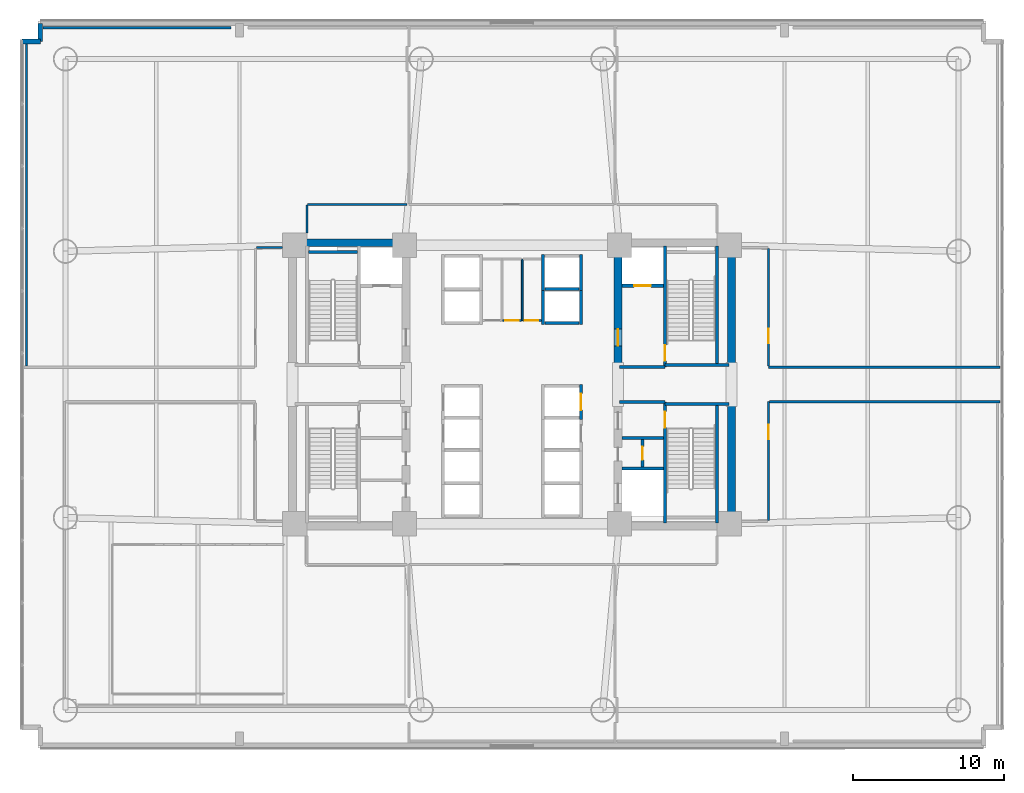
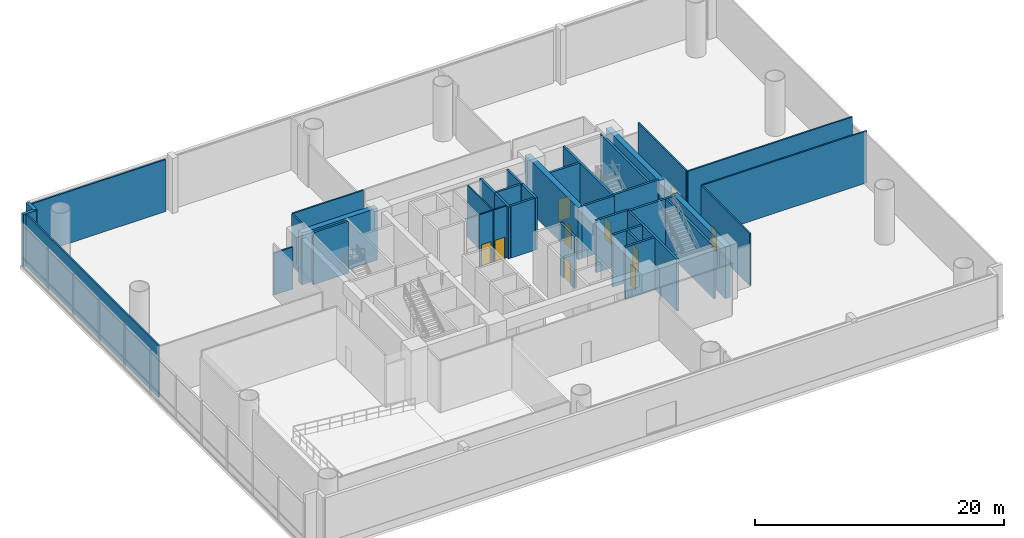
# One storey, part 9 of 15: 38 walls, 10 doors, 10 openings.
"""IFC4 building model written with IfcOpenShell, lengths in metres."""

from ifc_helpers import new_model, si_unit, direction, frame, frame_2d, origin, place, context, subcontext, project, spatial, rectangle, extrude, source, transform, mapped, material, layer, layer_set, type_object, element, fill, save


model = new_model("IFC4")

# Units and contexts
model_context = context("Model", 3, precision=1e-05, world=origin(), true_north=direction((0.0, 1.0)))
body_context = subcontext(model_context, "Body", "Model", "MODEL_VIEW")
ifc_project = project(units=[si_unit("LENGTHUNIT", "METRE"), si_unit("AREAUNIT", "SQUARE_METRE"), si_unit("VOLUMEUNIT", "CUBIC_METRE"), si_unit("PLANEANGLEUNIT", "RADIAN"), si_unit("MASSUNIT", "GRAM", prefix="KILO")], contexts=[model_context])

# Site, building, storey
site_placement = place(None, origin())
site = spatial("IfcSite", under=ifc_project, at=site_placement, CompositionType="ELEMENT")
building_placement = place(site_placement, origin())
building = spatial("IfcBuilding", under=site, at=building_placement, Name="Zahravan Cultural Tower", CompositionType="ELEMENT")
storey_placement = place(building_placement, frame((0.0, 0.0, 12.60009765625)))
storey = spatial("IfcBuildingStorey", under=building, at=storey_placement, Name="L02", CompositionType="ELEMENT", Elevation=12.60009765625)

# Wall, opening, door
ifc_material_1 = material(Name="Concrete C60/75", Category="concrete")
ifc_layer_1 = layer(ifc_material_1, 0.5)
ifc_layer_set_1 = layer_set([ifc_layer_1], Name="Concrete C60/75")
wall_type_1 = type_object("IfcWallType", Name="CW-SHEAR-500-C60", PredefinedType="SHEAR", material=ifc_layer_set_1)
wall_1_placement = place(storey_placement, frame((43.0, 28.050048828125, 0.0), z_axis=(0.0, 0.0, 1.0), x_axis=(0.0, 1.0, 0.0)))
wall_1 = element("IfcWall", 1, at=wall_1_placement, inside=storey, type_object=wall_type_1, Name="L02 Core Shear Wall CW-E-WN-L02", PredefinedType="SHEAR", context=body_context, shape_type="SweptSolid", body=[
    extrude(rectangle(XDim=8.550048828125, YDim=0.5, at=frame_2d((4.27490234375, 0.0))), origin(), (0.0, 0.0, 1.0), 5.099853515625),
])
opening_1_placement = place(wall_1_placement, frame((1.5, 0.0, 0.0)))
opening_1 = element("IfcOpeningElement", 2, at=opening_1_placement, cuts=wall_1, Name="Opening D-L02-06", PredefinedType="OPENING", context=body_context, shape_type="SweptSolid", body=[
    extrude(rectangle(XDim=1.10009765625, YDim=2.199951171875, at=frame_2d((0.550048828125, 1.10009765625))), frame((0.0, 0.260009765625, 0.0), z_axis=(0.0, -1.0, 0.0), x_axis=(1.0, 0.0, 0.0)), (0.0, 0.0, 1.0), 0.52001953125),
])
ifc_material_2 = material(Name="Steel ASTM A572 Grade 50", Category="steel")
door_type_1 = type_object("IfcDoorType", Name="DR-LOBBY-1100", OperationType="NOTDEFINED", PredefinedType="DOOR", material=ifc_material_2)
shared_shape_1 = source(origin(), body_context, "Body", "SweptSolid", [
    extrude(rectangle(XDim=1.10009765625, YDim=2.199951171875, at=frame_2d((0.550048828125, 1.10009765625))), frame((0.0, 0.02490234375, 0.0), z_axis=(0.0, -1.0, 0.0), x_axis=(1.0, 0.0, 0.0)), (0.0, 0.0, 1.0), 0.050048828125),
])
door_1_placement = place(opening_1_placement, origin())
door_1 = element("IfcDoor", 3, at=door_1_placement, inside=storey, type_object=door_type_1, Name="L02 Door D-L02-06", OperationType="SINGLE_SWING_LEFT", OverallHeight=2.199951171875, OverallWidth=1.10009765625, PredefinedType="DOOR", context=body_context, shape_type="MappedRepresentation", body=[
    mapped(shared_shape_1, transform((0.0, 0.0, 0.0), x_axis=(1.0, 0.0, 0.0), y_axis=(0.0, 1.0, 0.0), z_axis=(0.0, 0.0, 1.0), scale=1.0)),
])
fill(opening_1, door_1)

ifc_material_3 = material(Name="Gypsum plasterboard partition")
ifc_layer_2 = layer(ifc_material_3, 0.179931640625)
ifc_layer_set_2 = layer_set([ifc_layer_2], Name="Gypsum plasterboard partition")
wall_type_2 = type_object("IfcWallType", Name="W-COMP-180", PredefinedType="PARTITIONING", material=ifc_layer_set_2)
wall_2_placement = place(storey_placement, frame((44.6201171875, 21.550048828125, 0.0), z_axis=(0.0, 0.0, 1.0), x_axis=(0.0, 1.0, 0.0)))
wall_2 = element("IfcWall", 4, at=wall_2_placement, inside=storey, type_object=wall_type_2, Name="L02 Interior Wall 027", PredefinedType="PARTITIONING", context=body_context, shape_type="SweptSolid", body=[
    extrude(rectangle(XDim=1.800048828125, YDim=0.179931640625, at=frame_2d((0.89990234375, 0.0))), origin(), (0.0, 0.0, 1.0), 5.099853515625),
])
opening_2_placement = place(wall_2_placement, frame((0.4599609375, 0.0, 0.0)))
opening_2 = element("IfcOpeningElement", 5, at=opening_2_placement, cuts=wall_2, Name="Opening D-L02-12", PredefinedType="OPENING", context=body_context, shape_type="SweptSolid", body=[
    extrude(rectangle(XDim=0.8798828125, YDim=2.10009765625, at=frame_2d((0.43994140625, 1.050048828125))), frame((0.0, 0.099853515625, 0.0), z_axis=(0.0, -1.0, 0.0), x_axis=(1.0, 0.0, 0.0)), (0.0, 0.0, 1.0), 0.199951171875),
])
door_type_2 = type_object("IfcDoorType", Name="DR-SVC-880", OperationType="NOTDEFINED", PredefinedType="DOOR", material=ifc_material_2)
shared_shape_2 = source(origin(), body_context, "Body", "SweptSolid", [
    extrude(rectangle(XDim=0.8798828125, YDim=2.10009765625, at=frame_2d((0.43994140625, 1.050048828125))), frame((0.0, 0.02490234375, 0.0), z_axis=(0.0, -1.0, 0.0), x_axis=(1.0, 0.0, 0.0)), (0.0, 0.0, 1.0), 0.050048828125),
])
door_2_placement = place(opening_2_placement, origin())
door_2 = element("IfcDoor", 6, at=door_2_placement, inside=storey, type_object=door_type_2, Name="L02 Door D-L02-12", OperationType="SINGLE_SWING_LEFT", OverallHeight=2.10009765625, OverallWidth=0.8798828125, PredefinedType="DOOR", context=body_context, shape_type="MappedRepresentation", body=[
    mapped(shared_shape_2, transform((0.0, 0.0, 0.0), x_axis=(1.0, 0.0, 0.0), y_axis=(0.0, 1.0, 0.0), z_axis=(0.0, 0.0, 1.0), scale=1.0)),
])
fill(opening_2, door_2)

ifc_layer_3 = layer(ifc_material_3, 0.139892578125)
ifc_layer_set_3 = layer_set([ifc_layer_3], Name="Gypsum plasterboard partition")
wall_type_3 = type_object("IfcWallType", Name="W-PART-140", PredefinedType="PARTITIONING", material=ifc_layer_set_3)
wall_3_placement = place(storey_placement, frame((52.93994140625, 18.00732421875, 0.0), z_axis=(0.0, 0.0, 1.0), x_axis=(0.0, 1.0, 0.0)))
wall_3 = element("IfcWall", 7, at=wall_3_placement, inside=storey, type_object=wall_type_3, Name="L02 Interior Wall 112", PredefinedType="PARTITIONING", context=body_context, shape_type="SweptSolid", body=[
    extrude(rectangle(XDim=7.852783203125, YDim=0.139892578125, at=frame_2d((3.92626953125, 0.0))), origin(), (0.0, 0.0, 1.0), 5.099853515625),
])
opening_3_placement = place(wall_3_placement, frame((5.384033203125, 0.0, 0.0)))
opening_3 = element("IfcOpeningElement", 8, at=opening_3_placement, cuts=wall_3, Name="Opening D-L02-18", PredefinedType="OPENING", context=body_context, shape_type="SweptSolid", body=[
    extrude(rectangle(XDim=0.949951171875, YDim=2.14990234375, at=frame_2d((0.47509765625, 1.074951171875))), frame((0.0, 0.079833984375, 0.0), z_axis=(0.0, -1.0, 0.0), x_axis=(1.0, 0.0, 0.0)), (0.0, 0.0, 1.0), 0.159912109375),
])
ifc_material_4 = material(Name="Anodised bronze-aluminium mullion", Category="aluminium")
door_type_3 = type_object("IfcDoorType", Name="DR-ROOM-950", OperationType="NOTDEFINED", PredefinedType="DOOR", material=ifc_material_4)
shared_shape_3 = source(origin(), body_context, "Body", "SweptSolid", [
    extrude(rectangle(XDim=0.949951171875, YDim=2.14990234375, at=frame_2d((0.47509765625, 1.074951171875))), frame((0.0, 0.02490234375, 0.0), z_axis=(0.0, -1.0, 0.0), x_axis=(1.0, 0.0, 0.0)), (0.0, 0.0, 1.0), 0.050048828125),
])
door_3_placement = place(opening_3_placement, origin())
door_3 = element("IfcDoor", 9, at=door_3_placement, inside=storey, type_object=door_type_3, Name="L02 Door D-L02-18", OperationType="SINGLE_SWING_LEFT", OverallHeight=2.14990234375, OverallWidth=0.949951171875, PredefinedType="DOOR", context=body_context, shape_type="MappedRepresentation", body=[
    mapped(shared_shape_3, transform((0.0, 0.0, 0.0), x_axis=(1.0, 0.0, 0.0), y_axis=(0.0, 1.0, 0.0), z_axis=(0.0, 0.0, 1.0), scale=1.0)),
])
fill(opening_3, door_3)

wall_4_placement = place(storey_placement, frame((52.93994140625, 28.215087890625, 0.0), z_axis=(0.0, 0.0, 1.0), x_axis=(0.0, 1.0, 0.0)))
wall_4 = element("IfcWall", 10, at=wall_4_placement, inside=storey, type_object=wall_type_3, Name="L02 Interior Wall 115", PredefinedType="PARTITIONING", context=body_context, shape_type="SweptSolid", body=[
    extrude(rectangle(XDim=7.777587890625, YDim=0.139892578125, at=frame_2d((3.888671875, 0.0))), origin(), (0.0, 0.0, 1.0), 5.099853515625),
])
opening_4_placement = place(wall_4_placement, frame((1.502197265625, 0.0, 0.0)))
opening_4 = element("IfcOpeningElement", 11, at=opening_4_placement, cuts=wall_4, Name="Opening D-L02-19", PredefinedType="OPENING", context=body_context, shape_type="SweptSolid", body=[
    extrude(rectangle(XDim=0.949951171875, YDim=2.14990234375, at=frame_2d((0.47509765625, 1.074951171875))), frame((0.0, 0.079833984375, 0.0), z_axis=(0.0, -1.0, 0.0), x_axis=(1.0, 0.0, 0.0)), (0.0, 0.0, 1.0), 0.159912109375),
])
door_4_placement = place(opening_4_placement, origin())
door_4 = element("IfcDoor", 12, at=door_4_placement, inside=storey, type_object=door_type_3, Name="L02 Door D-L02-19", OperationType="SINGLE_SWING_RIGHT", OverallHeight=2.14990234375, OverallWidth=0.949951171875, PredefinedType="DOOR", context=body_context, shape_type="MappedRepresentation", body=[
    mapped(shared_shape_3, transform((0.0, 0.0, 0.0), x_axis=(1.0, 0.0, 0.0), y_axis=(0.0, 1.0, 0.0), z_axis=(0.0, 0.0, 1.0), scale=1.0)),
])
fill(opening_4, door_4)

ifc_material_5 = material(Name="Concrete C45/55", Category="concrete")
ifc_layer_4 = layer(ifc_material_5, 0.199951171875)
ifc_layer_set_4 = layer_set([ifc_layer_4], Name="Concrete C45/55")
wall_type_4 = type_object("IfcWallType", Name="W-SHAFT-200", PredefinedType="SOLIDWALL", material=ifc_layer_set_4)
wall_5_placement = place(storey_placement, frame((46.10009765625, 17.85009765625, 0.0), z_axis=(0.0, 0.0, 1.0), x_axis=(0.0, 1.0, 0.0)))
wall_5 = element("IfcWall", 13, at=wall_5_placement, inside=storey, type_object=wall_type_4, Name="L02 Interior Wall 007", PredefinedType="SOLIDWALL", context=body_context, shape_type="SweptSolid", body=[
    extrude(rectangle(XDim=8.0, YDim=0.199951171875, at=frame_2d((4.0, 0.0))), origin(), (0.0, 0.0, 1.0), 5.099853515625),
])
opening_5_placement = place(wall_5_placement, frame((6.300048828125, 0.0, 0.0)))
opening_5 = element("IfcOpeningElement", 14, at=opening_5_placement, cuts=wall_5, Name="Opening D-L02-03", PredefinedType="OPENING", context=body_context, shape_type="SweptSolid", body=[
    extrude(rectangle(XDim=1.050048828125, YDim=2.14990234375, at=frame_2d((0.52490234375, 1.074951171875))), frame((0.0, 0.10986328125, 0.0), z_axis=(0.0, -1.0, 0.0), x_axis=(1.0, 0.0, 0.0)), (0.0, 0.0, 1.0), 0.219970703125),
])
door_type_4 = type_object("IfcDoorType", Name="DR-STAIR-1050", OperationType="NOTDEFINED", PredefinedType="DOOR", material=ifc_material_2)
shared_shape_4 = source(origin(), body_context, "Body", "SweptSolid", [
    extrude(rectangle(XDim=1.050048828125, YDim=2.14990234375, at=frame_2d((0.52490234375, 1.074951171875))), frame((0.0, 0.02490234375, 0.0), z_axis=(0.0, -1.0, 0.0), x_axis=(1.0, 0.0, 0.0)), (0.0, 0.0, 1.0), 0.050048828125),
])
door_5_placement = place(opening_5_placement, origin())
door_5 = element("IfcDoor", 15, at=door_5_placement, inside=storey, type_object=door_type_4, Name="L02 Door D-L02-03", OperationType="SINGLE_SWING_RIGHT", OverallHeight=2.14990234375, OverallWidth=1.050048828125, PredefinedType="DOOR", context=body_context, shape_type="MappedRepresentation", body=[
    mapped(shared_shape_4, transform((0.0, 0.0, 0.0), x_axis=(1.0, 0.0, 0.0), y_axis=(0.0, 1.0, 0.0), z_axis=(0.0, 0.0, 1.0), scale=1.0)),
])
fill(opening_5, door_5)

wall_6_placement = place(storey_placement, frame((46.10009765625, 28.14990234375, 0.0), z_axis=(0.0, 0.0, 1.0), x_axis=(0.0, 1.0, 0.0)))
wall_6 = element("IfcWall", 16, at=wall_6_placement, inside=storey, type_object=wall_type_4, Name="L02 Interior Wall 008", PredefinedType="SOLIDWALL", context=body_context, shape_type="SweptSolid", body=[
    extrude(rectangle(XDim=8.0, YDim=0.199951171875, at=frame_2d((4.0, 0.0))), origin(), (0.0, 0.0, 1.0), 5.099853515625),
])
opening_6_placement = place(wall_6_placement, frame((0.39990234375, 0.0, 0.0)))
opening_6 = element("IfcOpeningElement", 17, at=opening_6_placement, cuts=wall_6, Name="Opening D-L02-02", PredefinedType="OPENING", context=body_context, shape_type="SweptSolid", body=[
    extrude(rectangle(XDim=1.050048828125, YDim=2.14990234375, at=frame_2d((0.52490234375, 1.074951171875))), frame((0.0, 0.10986328125, 0.0), z_axis=(0.0, -1.0, 0.0), x_axis=(1.0, 0.0, 0.0)), (0.0, 0.0, 1.0), 0.219970703125),
])
door_6_placement = place(opening_6_placement, origin())
door_6 = element("IfcDoor", 18, at=door_6_placement, inside=storey, type_object=door_type_4, Name="L02 Door D-L02-02", OperationType="SINGLE_SWING_LEFT", OverallHeight=2.14990234375, OverallWidth=1.050048828125, PredefinedType="DOOR", context=body_context, shape_type="MappedRepresentation", body=[
    mapped(shared_shape_4, transform((0.0, 0.0, 0.0), x_axis=(1.0, 0.0, 0.0), y_axis=(0.0, 1.0, 0.0), z_axis=(0.0, 0.0, 1.0), scale=1.0)),
])
fill(opening_6, door_6)

wall_7_placement = place(storey_placement, frame((43.25, 33.52001953125, 0.0), z_axis=(0.0, 0.0, 1.0), x_axis=(1.0, 0.0, 0.0)))
wall_7 = element("IfcWall", 19, at=wall_7_placement, inside=storey, type_object=wall_type_4, Name="L02 Interior Wall 022", PredefinedType="SOLIDWALL", context=body_context, shape_type="SweptSolid", body=[
    extrude(rectangle(XDim=2.75, YDim=0.199951171875, at=frame_2d((1.375, 0.0))), origin(), (0.0, 0.0, 1.0), 5.099853515625),
])
opening_7_placement = place(wall_7_placement, frame((0.820068359375, 0.0, 0.0)))
opening_7 = element("IfcOpeningElement", 20, at=opening_7_placement, cuts=wall_7, Name="Opening LD-L02-02", PredefinedType="OPENING", context=body_context, shape_type="SweptSolid", body=[
    extrude(rectangle(XDim=1.10009765625, YDim=2.14990234375, at=frame_2d((0.550048828125, 1.074951171875))), frame((0.0, 0.10986328125, 0.0), z_axis=(0.0, -1.0, 0.0), x_axis=(1.0, 0.0, 0.0)), (0.0, 0.0, 1.0), 0.219970703125),
])
door_type_5 = type_object("IfcDoorType", Name="DR-LIFT-1100", OperationType="DOUBLE_DOOR_SLIDING", PredefinedType="DOOR", material=ifc_material_2)
shared_shape_5 = source(origin(), body_context, "Body", "SweptSolid", [
    extrude(rectangle(XDim=1.10009765625, YDim=2.14990234375, at=frame_2d((0.550048828125, 1.074951171875))), frame((0.0, 0.02490234375, 0.0), z_axis=(0.0, -1.0, 0.0), x_axis=(1.0, 0.0, 0.0)), (0.0, 0.0, 1.0), 0.050048828125),
])
door_7_placement = place(opening_7_placement, origin())
door_7 = element("IfcDoor", 21, at=door_7_placement, inside=storey, type_object=door_type_5, Name="L02 Door LD-L02-02", OperationType="DOUBLE_DOOR_SLIDING", OverallHeight=2.14990234375, OverallWidth=1.10009765625, PredefinedType="DOOR", context=body_context, shape_type="MappedRepresentation", body=[
    mapped(shared_shape_5, transform((0.0, 0.0, 0.0), x_axis=(1.0, 0.0, 0.0), y_axis=(0.0, 1.0, 0.0), z_axis=(0.0, 0.0, 1.0), scale=1.0)),
])
fill(opening_7, door_7)

wall_8_placement = place(storey_placement, frame((40.550048828125, 24.699951171875, 0.0), z_axis=(0.0, 0.0, 1.0), x_axis=(0.0, 1.0, 0.0)))
wall_8 = element("IfcWall", 22, at=wall_8_placement, inside=storey, type_object=wall_type_4, Name="L02 Interior Wall 063", PredefinedType="SOLIDWALL", context=body_context, shape_type="SweptSolid", body=[
    extrude(rectangle(XDim=2.300048828125, YDim=0.199951171875, at=frame_2d((1.14990234375, 0.0))), origin(), (0.0, 0.0, 1.0), 5.099853515625),
])
opening_8_placement = place(wall_8_placement, frame((0.60009765625, 0.0, 0.0)))
opening_8 = element("IfcOpeningElement", 23, at=opening_8_placement, cuts=wall_8, Name="Opening LD-L02-06", PredefinedType="OPENING", context=body_context, shape_type="SweptSolid", body=[
    extrude(rectangle(XDim=1.10009765625, YDim=2.14990234375, at=frame_2d((0.550048828125, 1.074951171875))), frame((0.0, 0.10986328125, 0.0), z_axis=(0.0, -1.0, 0.0), x_axis=(1.0, 0.0, 0.0)), (0.0, 0.0, 1.0), 0.219970703125),
])
door_8_placement = place(opening_8_placement, origin())
door_8 = element("IfcDoor", 24, at=door_8_placement, inside=storey, type_object=door_type_5, Name="L02 Door LD-L02-06", OperationType="DOUBLE_DOOR_SLIDING", OverallHeight=2.14990234375, OverallWidth=1.10009765625, PredefinedType="DOOR", context=body_context, shape_type="MappedRepresentation", body=[
    mapped(shared_shape_5, transform((0.0, 0.0, 0.0), x_axis=(1.0, 0.0, 0.0), y_axis=(0.0, 1.0, 0.0), z_axis=(0.0, 0.0, 1.0), scale=1.0)),
])
fill(opening_8, door_8)

ifc_layer_5 = layer(ifc_material_3, 0.114990234375)
ifc_layer_set_5 = layer_set([ifc_layer_5], Name="Gypsum plasterboard partition")
wall_type_5 = type_object("IfcWallType", Name="W-WC-115", PredefinedType="PARTITIONING", material=ifc_layer_set_5)
wall_9_placement = place(storey_placement, frame((37.945068359375, 31.219970703125, 0.0), z_axis=(0.0, 0.0, 1.0), x_axis=(-1.0, 0.0, 0.0)))
wall_9 = element("IfcWall", 25, at=wall_9_placement, inside=storey, type_object=wall_type_5, Name="L02 Interior Wall 070", PredefinedType="PARTITIONING", context=body_context, shape_type="SweptSolid", body=[
    extrude(rectangle(XDim=1.20263671875, YDim=0.114990234375, at=frame_2d((0.601318359375, 0.0))), origin(), (0.0, 0.0, 1.0), 5.099853515625),
])
opening_9_placement = place(wall_9_placement, frame((0.19970703125, 0.0, 0.0)))
opening_9 = element("IfcOpeningElement", 26, at=opening_9_placement, cuts=wall_9, Name="Opening D-L02-15", PredefinedType="OPENING", context=body_context, shape_type="SweptSolid", body=[
    extrude(rectangle(XDim=0.89990234375, YDim=2.10009765625, at=frame_2d((0.449951171875, 1.050048828125))), frame((0.0, 0.0673828125, 0.0), z_axis=(0.0, -1.0, 0.0), x_axis=(1.0, 0.0, 0.0)), (0.0, 0.0, 1.0), 0.135009765625),
])
door_type_6 = type_object("IfcDoorType", Name="DR-WC-900", OperationType="NOTDEFINED", PredefinedType="DOOR", material=ifc_material_4)
shared_shape_6 = source(origin(), body_context, "Body", "SweptSolid", [
    extrude(rectangle(XDim=0.89990234375, YDim=2.10009765625, at=frame_2d((0.449951171875, 1.050048828125))), frame((0.0, 0.02490234375, 0.0), z_axis=(0.0, -1.0, 0.0), x_axis=(1.0, 0.0, 0.0)), (0.0, 0.0, 1.0), 0.050048828125),
])
door_9_placement = place(opening_9_placement, origin())
door_9 = element("IfcDoor", 27, at=door_9_placement, inside=storey, type_object=door_type_6, Name="L02 Door D-L02-15", OperationType="SINGLE_SWING_RIGHT", OverallHeight=2.10009765625, OverallWidth=0.89990234375, PredefinedType="DOOR", context=body_context, shape_type="MappedRepresentation", body=[
    mapped(shared_shape_6, transform((0.0, 0.0, 0.0), x_axis=(1.0, 0.0, 0.0), y_axis=(0.0, 1.0, 0.0), z_axis=(0.0, 0.0, 1.0), scale=1.0)),
])
fill(opening_9, door_9)

wall_10_placement = place(storey_placement, frame((36.617431640625, 31.219970703125, 0.0), z_axis=(0.0, 0.0, 1.0), x_axis=(-1.0, 0.0, 0.0)))
wall_10 = element("IfcWall", 28, at=wall_10_placement, inside=storey, type_object=wall_type_5, Name="L02 Interior Wall 075", PredefinedType="PARTITIONING", context=body_context, shape_type="SweptSolid", body=[
    extrude(rectangle(XDim=1.21484375, YDim=0.114990234375, at=frame_2d((0.607421875, 0.0))), origin(), (0.0, 0.0, 1.0), 5.099853515625),
])
opening_10_placement = place(wall_10_placement, frame((0.157470703125, 0.0, 0.0)))
opening_10 = element("IfcOpeningElement", 29, at=opening_10_placement, cuts=wall_10, Name="Opening D-L02-14", PredefinedType="OPENING", context=body_context, shape_type="SweptSolid", body=[
    extrude(rectangle(XDim=0.89990234375, YDim=2.10009765625, at=frame_2d((0.449951171875, 1.050048828125))), frame((0.0, 0.0673828125, 0.0), z_axis=(0.0, -1.0, 0.0), x_axis=(1.0, 0.0, 0.0)), (0.0, 0.0, 1.0), 0.135009765625),
])
door_10_placement = place(opening_10_placement, origin())
door_10 = element("IfcDoor", 30, at=door_10_placement, inside=storey, type_object=door_type_6, Name="L02 Door D-L02-14", OperationType="SINGLE_SWING_LEFT", OverallHeight=2.10009765625, OverallWidth=0.89990234375, PredefinedType="DOOR", context=body_context, shape_type="MappedRepresentation", body=[
    mapped(shared_shape_6, transform((0.0, 0.0, 0.0), x_axis=(1.0, 0.0, 0.0), y_axis=(0.0, 1.0, 0.0), z_axis=(0.0, 0.0, 1.0), scale=1.0)),
])
fill(opening_10, door_10)

# Walls
shared_shape_7 = source(origin(), body_context, "Body", "SweptSolid", [
    extrude(rectangle(XDim=8.550048828125, YDim=0.5, at=frame_2d((4.27490234375, 0.0))), origin(), (0.0, 0.0, 1.0), 5.099853515625),
])
for number, where, z_axis, x_axis, name in (
    (31, (50.5, 17.39990234375, 0.0), (0.0, 0.0, 1.0), (0.0, 1.0, 0.0), "L02 Core Shear Wall CW-E-ES-L02"),
    (32, (50.5, 28.050048828125, 0.0), (0.0, 0.0, 1.0), (0.0, 1.0, 0.0), "L02 Core Shear Wall CW-E-EN-L02"),
):
    element("IfcWall", number, at=place(storey_placement, frame(where, z_axis=z_axis, x_axis=x_axis)), inside=storey, type_object=wall_type_1, Name=name, PredefinedType="SHEAR", context=body_context, shape_type="MappedRepresentation", body=[
        mapped(shared_shape_7, transform((0.0, 0.0, 0.0), x_axis=(1.0, 0.0, 0.0), y_axis=(0.0, 1.0, 0.0), z_axis=(0.0, 0.0, 1.0), scale=1.0)),
    ])
shared_shape_8 = source(origin(), body_context, "Body", "SweptSolid", [
    extrude(rectangle(XDim=7.0, YDim=0.5, at=frame_2d((3.5, 0.0))), origin(), (0.0, 0.0, 1.0), 5.099853515625),
])
wall_11_placement = place(storey_placement, frame((21.75, 36.35009765625, 0.0), z_axis=(0.0, 0.0, 1.0), x_axis=(1.0, 0.0, 0.0)))
element("IfcWall", 33, at=wall_11_placement, inside=storey, type_object=wall_type_1, Name="L02 Core Shear Wall CW-W-N-L02", PredefinedType="SHEAR", context=body_context, shape_type="MappedRepresentation", body=[
    mapped(shared_shape_8, transform((0.0, 0.0, 0.0), x_axis=(1.0, 0.0, 0.0), y_axis=(0.0, 1.0, 0.0), z_axis=(0.0, 0.0, 1.0), scale=1.0)),
])
ifc_material_6 = material(Name="Precast concrete C40/50", Category="concrete")
ifc_layer_6 = layer(ifc_material_6, 0.320068359375)
ifc_layer_set_6 = layer_set([ifc_layer_6], Name="Precast concrete C40/50")
wall_type_6 = type_object("IfcWallType", Name="EW-TC-320", PredefinedType="SOLIDWALL", material=ifc_layer_set_6)
shared_shape_9 = source(origin(), body_context, "Body", "SweptSolid", [
    extrude(rectangle(XDim=1.2001953125, YDim=0.320068359375, at=frame_2d((0.60009765625, 0.0))), origin(), (0.0, 0.0, 1.0), 5.099853515625),
])
for number, where, z_axis, x_axis, name in (
    (34, (3.639892578125, 49.659912109375, 0.0), (0.0, 0.0, 1.0), (1.0, 0.0, 0.0), "L02 Exterior Masonry Frame Wall 06"),
    (35, (4.840087890625, 49.659912109375, 0.0), (0.0, 0.0, 1.0), (0.0, 1.0, 0.0), "L02 Exterior Masonry Frame Wall 07"),
):
    element("IfcWall", number, at=place(storey_placement, frame(where, z_axis=z_axis, x_axis=x_axis)), inside=storey, type_object=wall_type_6, Name=name, PredefinedType="SOLIDWALL", context=body_context, shape_type="MappedRepresentation", body=[
        mapped(shared_shape_9, transform((0.0, 0.0, 0.0), x_axis=(1.0, 0.0, 0.0), y_axis=(0.0, 1.0, 0.0), z_axis=(0.0, 0.0, 1.0), scale=1.0)),
    ])
shared_shape_10 = source(origin(), body_context, "Body", "SweptSolid", [
    extrude(rectangle(XDim=7.869873046875, YDim=0.199951171875, at=frame_2d((3.93505859375, 0.0))), origin(), (0.0, 0.0, 1.0), 5.099853515625),
])
for number, where, z_axis, x_axis, name in (
    (36, (49.550048828125, 17.85009765625, 0.0), (0.0, 0.0, 1.0), (0.0, 1.0, 0.0), "L02 Interior Wall 003"),
    (37, (49.550048828125, 28.280029296875, 0.0), (0.0, 0.0, 1.0), (0.0, 1.0, 0.0), "L02 Interior Wall 004"),
):
    element("IfcWall", number, at=place(storey_placement, frame(where, z_axis=z_axis, x_axis=x_axis)), inside=storey, type_object=wall_type_4, Name=name, PredefinedType="SOLIDWALL", context=body_context, shape_type="MappedRepresentation", body=[
        mapped(shared_shape_10, transform((0.0, 0.0, 0.0), x_axis=(1.0, 0.0, 0.0), y_axis=(0.0, 1.0, 0.0), z_axis=(0.0, 0.0, 1.0), scale=1.0)),
    ])
shared_shape_11 = source(origin(), body_context, "Body", "SweptSolid", [
    extrude(rectangle(XDim=4.25, YDim=0.199951171875, at=frame_2d((2.125, 0.0))), origin(), (0.0, 0.0, 1.0), 5.099853515625),
])
for number, where, z_axis, x_axis, name in (
    (38, (46.10009765625, 25.715087890625, 0.0), (0.0, 0.0, 1.0), (1.0, 0.0, 0.0), "L02 Interior Wall 014"),
    (39, (46.10009765625, 28.284912109375, 0.0), (0.0, 0.0, 1.0), (1.0, 0.0, 0.0), "L02 Interior Wall 016"),
):
    element("IfcWall", number, at=place(storey_placement, frame(where, z_axis=z_axis, x_axis=x_axis)), inside=storey, type_object=wall_type_4, Name=name, PredefinedType="SOLIDWALL", context=body_context, shape_type="MappedRepresentation", body=[
        mapped(shared_shape_11, transform((0.0, 0.0, 0.0), x_axis=(1.0, 0.0, 0.0), y_axis=(0.0, 1.0, 0.0), z_axis=(0.0, 0.0, 1.0), scale=1.0)),
    ])
shared_shape_12 = source(origin(), body_context, "Body", "SweptSolid", [
    extrude(rectangle(XDim=3.0, YDim=0.199951171875, at=frame_2d((1.5, 0.0))), origin(), (0.0, 0.0, 1.0), 5.099853515625),
])
for number, where, z_axis, x_axis, name in (
    (40, (43.10009765625, 25.85009765625, 0.0), (0.0, 0.0, 1.0), (1.0, 0.0, 0.0), "L02 Interior Wall 013"),
    (41, (43.10009765625, 28.14990234375, 0.0), (0.0, 0.0, 1.0), (1.0, 0.0, 0.0), "L02 Interior Wall 015"),
):
    element("IfcWall", number, at=place(storey_placement, frame(where, z_axis=z_axis, x_axis=x_axis)), inside=storey, type_object=wall_type_4, Name=name, PredefinedType="SOLIDWALL", context=body_context, shape_type="MappedRepresentation", body=[
        mapped(shared_shape_12, transform((0.0, 0.0, 0.0), x_axis=(1.0, 0.0, 0.0), y_axis=(0.0, 1.0, 0.0), z_axis=(0.0, 0.0, 1.0), scale=1.0)),
    ])
shared_shape_13 = source(origin(), body_context, "Body", "SweptSolid", [
    extrude(rectangle(XDim=3.25, YDim=0.199951171875, at=frame_2d((1.625, 0.0))), origin(), (0.0, 0.0, 1.0), 5.099853515625),
])
wall_12_placement = place(storey_placement, frame((22.550048828125, 35.75, 0.0), z_axis=(0.0, 0.0, 1.0), x_axis=(1.0, 0.0, 0.0)))
element("IfcWall", 42, at=wall_12_placement, inside=storey, type_object=wall_type_4, Name="L02 Interior Wall 017", PredefinedType="SOLIDWALL", context=body_context, shape_type="MappedRepresentation", body=[
    mapped(shared_shape_13, transform((0.0, 0.0, 0.0), x_axis=(1.0, 0.0, 0.0), y_axis=(0.0, 1.0, 0.0), z_axis=(0.0, 0.0, 1.0), scale=1.0)),
])
shared_shape_14 = source(origin(), body_context, "Body", "SweptSolid", [
    extrude(rectangle(XDim=2.75, YDim=0.199951171875, at=frame_2d((1.375, 0.0))), origin(), (0.0, 0.0, 1.0), 5.099853515625),
])
for number, where, z_axis, x_axis, name in (
    (43, (43.25, 23.449951171875, 0.0), (0.0, 0.0, 1.0), (1.0, 0.0, 0.0), "L02 Interior Wall 024"),
    (44, (43.25, 21.449951171875, 0.0), (0.0, 0.0, 1.0), (1.0, 0.0, 0.0), "L02 Interior Wall 025"),
):
    element("IfcWall", number, at=place(storey_placement, frame(where, z_axis=z_axis, x_axis=x_axis)), inside=storey, type_object=wall_type_4, Name=name, PredefinedType="SOLIDWALL", context=body_context, shape_type="MappedRepresentation", body=[
        mapped(shared_shape_14, transform((0.0, 0.0, 0.0), x_axis=(1.0, 0.0, 0.0), y_axis=(0.0, 1.0, 0.0), z_axis=(0.0, 0.0, 1.0), scale=1.0)),
    ])
shared_shape_15 = source(origin(), body_context, "Body", "SweptSolid", [
    extrude(rectangle(XDim=2.400146484375, YDim=0.199951171875, at=frame_2d((1.2001953125, 0.0))), origin(), (0.0, 0.0, 1.0), 5.099853515625),
])
for number, where, z_axis, x_axis, name in (
    (45, (38.050048828125, 33.199951171875, 0.0), (0.0, 0.0, 1.0), (0.0, 1.0, 0.0), "L02 Interior Wall 035"),
    (46, (40.550048828125, 33.199951171875, 0.0), (0.0, 0.0, 1.0), (0.0, 1.0, 0.0), "L02 Interior Wall 036"),
    (47, (38.050048828125, 30.949951171875, 0.0), (0.0, 0.0, 1.0), (0.0, 1.0, 0.0), "L02 Interior Wall 039"),
    (48, (40.550048828125, 30.949951171875, 0.0), (0.0, 0.0, 1.0), (0.0, 1.0, 0.0), "L02 Interior Wall 040"),
):
    element("IfcWall", number, at=place(storey_placement, frame(where, z_axis=z_axis, x_axis=x_axis)), inside=storey, type_object=wall_type_4, Name=name, PredefinedType="SOLIDWALL", context=body_context, shape_type="MappedRepresentation", body=[
        mapped(shared_shape_15, transform((0.0, 0.0, 0.0), x_axis=(1.0, 0.0, 0.0), y_axis=(0.0, 1.0, 0.0), z_axis=(0.0, 0.0, 1.0), scale=1.0)),
    ])
shared_shape_16 = source(origin(), body_context, "Body", "SweptSolid", [
    extrude(rectangle(XDim=2.260009765625, YDim=0.199951171875, at=frame_2d((1.1298828125, 0.0))), origin(), (0.0, 0.0, 1.0), 5.099853515625),
])
for number, where, z_axis, x_axis, name in (
    (49, (38.169921875, 33.300048828125, 0.0), (0.0, 0.0, 1.0), (1.0, 0.0, 0.0), "L02 Interior Wall 037"),
    (50, (38.169921875, 31.050048828125, 0.0), (0.0, 0.0, 1.0), (1.0, 0.0, 0.0), "L02 Interior Wall 041"),
):
    element("IfcWall", number, at=place(storey_placement, frame(where, z_axis=z_axis, x_axis=x_axis)), inside=storey, type_object=wall_type_4, Name=name, PredefinedType="SOLIDWALL", context=body_context, shape_type="MappedRepresentation", body=[
        mapped(shared_shape_16, transform((0.0, 0.0, 0.0), x_axis=(1.0, 0.0, 0.0), y_axis=(0.0, 1.0, 0.0), z_axis=(0.0, 0.0, 1.0), scale=1.0)),
    ])
shared_shape_17 = source(origin(), body_context, "Body", "SweptSolid", [
    extrude(rectangle(XDim=4.06005859375, YDim=0.114990234375, at=frame_2d((2.030029296875, 0.0))), origin(), (0.0, 0.0, 1.0), 5.099853515625),
])
wall_13_placement = place(storey_placement, frame((36.679931640625, 31.219970703125, 0.0), z_axis=(0.0, 0.0, 1.0), x_axis=(0.0, 1.0, 0.0)))
element("IfcWall", 51, at=wall_13_placement, inside=storey, type_object=wall_type_5, Name="L02 Interior Wall 068", PredefinedType="PARTITIONING", context=body_context, shape_type="MappedRepresentation", body=[
    mapped(shared_shape_17, transform((0.0, 0.0, 0.0), x_axis=(1.0, 0.0, 0.0), y_axis=(0.0, 1.0, 0.0), z_axis=(0.0, 0.0, 1.0), scale=1.0)),
])
shared_shape_18 = source(origin(), body_context, "Body", "SweptSolid", [
    extrude(rectangle(XDim=1.72412109375, YDim=0.139892578125, at=frame_2d((0.862060546875, 0.0))), origin(), (0.0, 0.0, 1.0), 4.126953125),
])
wall_14_placement = place(storey_placement, frame((20.830078125, 36.0400390625, 0.0), z_axis=(0.0, 0.0, 1.0), x_axis=(-1.0, 0.0, 0.0)))
element("IfcWall", 52, at=wall_14_placement, inside=storey, type_object=wall_type_3, Name="L02 Interior Wall 099", PredefinedType="PARTITIONING", context=body_context, shape_type="MappedRepresentation", body=[
    mapped(shared_shape_18, transform((0.0, 0.0, 0.0), x_axis=(1.0, 0.0, 0.0), y_axis=(0.0, 1.0, 0.0), z_axis=(0.0, 0.0, 1.0), scale=1.0)),
])
shared_shape_19 = source(origin(), body_context, "Body", "SweptSolid", [
    extrude(rectangle(XDim=6.5556640625, YDim=0.139892578125, at=frame_2d((3.27783203125, 0.0))), origin(), (0.0, 0.0, 1.0), 5.099853515625),
])
wall_15_placement = place(storey_placement, frame((29.06005859375, 38.889892578125, 0.0), z_axis=(0.0, 0.0, 1.0), x_axis=(-1.0, 0.0, 0.0)))
element("IfcWall", 53, at=wall_15_placement, inside=storey, type_object=wall_type_3, Name="L02 Interior Wall 097", PredefinedType="PARTITIONING", context=body_context, shape_type="MappedRepresentation", body=[
    mapped(shared_shape_19, transform((0.0, 0.0, 0.0), x_axis=(1.0, 0.0, 0.0), y_axis=(0.0, 1.0, 0.0), z_axis=(0.0, 0.0, 1.0), scale=1.0)),
])
shared_shape_20 = source(origin(), body_context, "Body", "SweptSolid", [
    extrude(rectangle(XDim=1.82568359375, YDim=0.139892578125, at=frame_2d((0.912841796875, 0.0))), origin(), (0.0, 0.0, 1.0), 5.099853515625),
])
wall_16_placement = place(storey_placement, frame((22.4599609375, 38.845703125, 0.0), z_axis=(0.0, 0.0, 1.0), x_axis=(0.0, -1.0, 0.0)))
element("IfcWall", 54, at=wall_16_placement, inside=storey, type_object=wall_type_3, Name="L02 Interior Wall 098", PredefinedType="PARTITIONING", context=body_context, shape_type="MappedRepresentation", body=[
    mapped(shared_shape_20, transform((0.0, 0.0, 0.0), x_axis=(1.0, 0.0, 0.0), y_axis=(0.0, 1.0, 0.0), z_axis=(0.0, 0.0, 1.0), scale=1.0)),
])
shared_shape_21 = source(origin(), body_context, "Body", "SweptSolid", [
    extrude(rectangle(XDim=21.280029296875, YDim=0.139892578125, at=frame_2d((10.64013671875, 0.0))), origin(), (0.0, 0.0, 1.0), 5.099853515625),
])
wall_17_placement = place(storey_placement, frame((3.93994140625, 28.215087890625, 0.0), z_axis=(0.0, 0.0, 1.0), x_axis=(0.0, 1.0, 0.0)))
element("IfcWall", 55, at=wall_17_placement, inside=storey, type_object=wall_type_3, Name="L02 Interior Wall 102", PredefinedType="PARTITIONING", context=body_context, shape_type="MappedRepresentation", body=[
    mapped(shared_shape_21, transform((0.0, 0.0, 0.0), x_axis=(1.0, 0.0, 0.0), y_axis=(0.0, 1.0, 0.0), z_axis=(0.0, 0.0, 1.0), scale=1.0)),
])
shared_shape_22 = source(origin(), body_context, "Body", "SweptSolid", [
    extrude(rectangle(XDim=12.425048828125, YDim=0.139892578125, at=frame_2d((6.21240234375, 0.0))), origin(), (0.0, 0.0, 1.0), 5.099853515625),
])
wall_18_placement = place(storey_placement, frame((5.0048828125, 50.56005859375, 0.0), z_axis=(0.0, 0.0, 1.0), x_axis=(1.0, 0.0, 0.0)))
element("IfcWall", 56, at=wall_18_placement, inside=storey, type_object=wall_type_3, Name="L02 Interior Wall 103", PredefinedType="PARTITIONING", context=body_context, shape_type="MappedRepresentation", body=[
    mapped(shared_shape_22, transform((0.0, 0.0, 0.0), x_axis=(1.0, 0.0, 0.0), y_axis=(0.0, 1.0, 0.0), z_axis=(0.0, 0.0, 1.0), scale=1.0)),
])
shared_shape_23 = source(origin(), body_context, "Body", "SweptSolid", [
    extrude(rectangle(XDim=15.22509765625, YDim=0.139892578125, at=frame_2d((7.612548828125, 0.0))), origin(), (0.0, 0.0, 1.0), 5.099853515625),
])
wall_19_placement = place(storey_placement, frame((53.014892578125, 25.860107421875, 0.0), z_axis=(0.0, 0.0, 1.0), x_axis=(1.0, 0.0, 0.0)))
element("IfcWall", 57, at=wall_19_placement, inside=storey, type_object=wall_type_3, Name="L02 Interior Wall 113", PredefinedType="PARTITIONING", context=body_context, shape_type="MappedRepresentation", body=[
    mapped(shared_shape_23, transform((0.0, 0.0, 0.0), x_axis=(1.0, 0.0, 0.0), y_axis=(0.0, 1.0, 0.0), z_axis=(0.0, 0.0, 1.0), scale=1.0)),
])
shared_shape_24 = source(origin(), body_context, "Body", "SweptSolid", [
    extrude(rectangle(XDim=15.295166015625, YDim=0.139892578125, at=frame_2d((7.6474609375, 0.0))), origin(), (0.0, 0.0, 1.0), 5.099853515625),
])
wall_20_placement = place(storey_placement, frame((68.235107421875, 28.139892578125, 0.0), z_axis=(0.0, 0.0, 1.0), x_axis=(-1.0, 0.0, 0.0)))
element("IfcWall", 58, at=wall_20_placement, inside=storey, type_object=wall_type_3, Name="L02 Interior Wall 114", PredefinedType="PARTITIONING", context=body_context, shape_type="MappedRepresentation", body=[
    mapped(shared_shape_24, transform((0.0, 0.0, 0.0), x_axis=(1.0, 0.0, 0.0), y_axis=(0.0, 1.0, 0.0), z_axis=(0.0, 0.0, 1.0), scale=1.0)),
])

save(model, "model.ifc")
